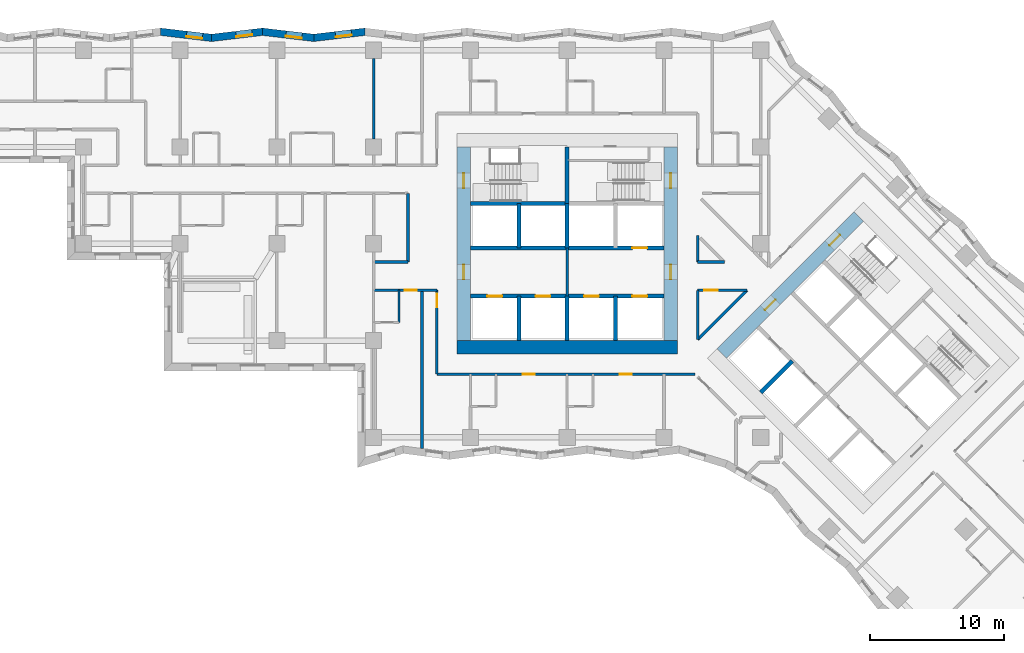
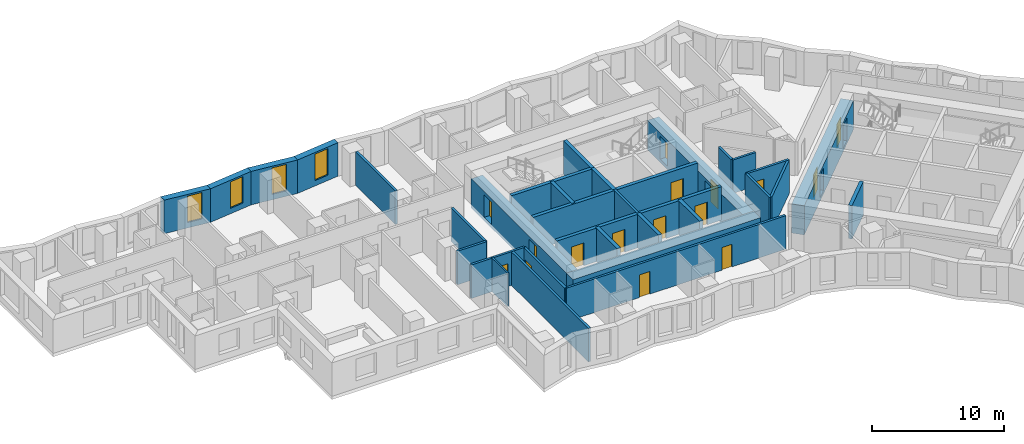
# One storey, part 5 of 14: 32 walls, 16 doors, 4 windows, 20 openings.
"""IFC4 building model written with IfcOpenShell, lengths in metres."""

from ifc_helpers import new_model, si_unit, direction, frame, frame_2d, origin, place, context, subcontext, project, spatial, polyline, rectangle, outline, extrude, material, layer, layer_set, type_object, element, fill, save


model = new_model("IFC4")

# Units and contexts
model_context = context("Model", 3, precision=1e-05, world=origin(), true_north=direction((0.0, 1.0)))
body_context = subcontext(model_context, "Body", "Model", "MODEL_VIEW")
ifc_project = project(units=[si_unit("LENGTHUNIT", "METRE"), si_unit("AREAUNIT", "SQUARE_METRE"), si_unit("VOLUMEUNIT", "CUBIC_METRE"), si_unit("PLANEANGLEUNIT", "RADIAN"), si_unit("MASSUNIT", "GRAM", prefix="KILO")], contexts=[model_context])

# Site, building, storey
site_placement = place(None, origin())
site = spatial("IfcSite", under=ifc_project, at=site_placement, CompositionType="ELEMENT")
building_placement = place(site_placement, origin())
building = spatial("IfcBuilding", under=site, at=building_placement, Name="Windrow Commons", CompositionType="ELEMENT")
storey_placement = place(building_placement, frame((0.0, 0.0, 44.0)))
storey = spatial("IfcBuildingStorey", under=building, at=storey_placement, Name="L11", CompositionType="ELEMENT", Elevation=44.0)

# Wall, opening, window
ifc_material_1 = material(Name="Brick masonry, red clay brick", Category="masonry")
ifc_layer_1 = layer(ifc_material_1, 0.55)
ifc_layer_set_1 = layer_set([ifc_layer_1], Name="Brick facade wall 550")
wall_type_1 = type_object("IfcWallType", Name="Brick facade wall 550", PredefinedType="SOLIDWALL", material=ifc_layer_set_1)
wall_1_placement = place(storey_placement, frame((49.7407, 73.3741, 0.0), z_axis=(0.0, 0.0, 1.0), x_axis=(-0.9930265769, -0.1178907016, 0.0)))
wall_1 = element("IfcWall", 1, at=wall_1_placement, inside=storey, type_object=wall_type_1, Name="Brick facade wall L11 31", PredefinedType="SOLIDWALL", context=body_context, shape_type="SweptSolid", body=[
    extrude(outline(polyline([(-0.0326, -0.275), (3.793, -0.275), (3.8583, 0.275), (0.0326, 0.275), (-0.0326, -0.275)])), origin(), (0.0, 0.0, 1.0), 3.1),
])
opening_1_placement = place(wall_1_placement, frame((0.997, 0.0, 0.5)))
opening_1 = element("IfcOpeningElement", 2, at=opening_1_placement, cuts=wall_1, Name="Opening W7D", PredefinedType="OPENING", context=body_context, shape_type="SweptSolid", body=[
    extrude(rectangle(XDim=1.2, YDim=2.45, at=frame_2d((0.6, 1.225))), frame((0.0, 0.285, 0.0), z_axis=(0.0, -1.0, 0.0), x_axis=(1.0, 0.0, 0.0)), (0.0, 0.0, 1.0), 0.57),
])
ifc_material_2 = material(Name="Clear float glass in anodised aluminium frame", Category="aluminium")
window_type = type_object("IfcWindowType", Name="Window W7 notch 1200x2450", PartitioningType="SINGLE_PANEL", PredefinedType="WINDOW", material=ifc_material_2)
window_1_placement = place(opening_1_placement, origin())
window_1 = element("IfcWindow", 3, at=window_1_placement, inside=storey, type_object=window_type, Name="Window L11 31.1", OverallHeight=2.45, OverallWidth=1.2, PartitioningType="SINGLE_PANEL", PredefinedType="WINDOW", context=body_context, shape_type="SweptSolid", body=[
    extrude(rectangle(XDim=1.2, YDim=2.45, at=frame_2d((0.6, 1.225))), frame((0.0, 0.155, 0.0), z_axis=(0.0, -1.0, 0.0), x_axis=(1.0, 0.0, 0.0)), (0.0, 0.0, 1.0), 0.06),
])
fill(opening_1, window_1)

wall_2_placement = place(storey_placement, frame((45.9418, 72.9231, 0.0), z_axis=(0.0, 0.0, 1.0), x_axis=(-0.9930269402, 0.1178876415, 0.0)))
wall_2 = element("IfcWall", 4, at=wall_2_placement, inside=storey, type_object=wall_type_1, Name="Brick facade wall L11 32", PredefinedType="SOLIDWALL", context=body_context, shape_type="SweptSolid", body=[
    extrude(outline(polyline([(0.0326, -0.275), (3.8583, -0.275), (3.793, 0.275), (-0.0326, 0.275), (0.0326, -0.275)])), origin(), (0.0, 0.0, 1.0), 3.1),
])
opening_2_placement = place(wall_2_placement, frame((0.8805, 0.0, 0.5)))
opening_2 = element("IfcOpeningElement", 5, at=opening_2_placement, cuts=wall_2, Name="Opening W7D", PredefinedType="OPENING", context=body_context, shape_type="SweptSolid", body=[
    extrude(rectangle(XDim=1.2, YDim=2.45, at=frame_2d((0.6, 1.225))), frame((0.0, 0.285, 0.0), z_axis=(0.0, -1.0, 0.0), x_axis=(1.0, 0.0, 0.0)), (0.0, 0.0, 1.0), 0.57),
])
window_2_placement = place(opening_2_placement, origin())
window_2 = element("IfcWindow", 6, at=window_2_placement, inside=storey, type_object=window_type, Name="Window L11 32.1", OverallHeight=2.45, OverallWidth=1.2, PartitioningType="SINGLE_PANEL", PredefinedType="WINDOW", context=body_context, shape_type="SweptSolid", body=[
    extrude(rectangle(XDim=1.2, YDim=2.45, at=frame_2d((0.6, 1.225))), frame((0.0, 0.155, 0.0), z_axis=(0.0, -1.0, 0.0), x_axis=(1.0, 0.0, 0.0)), (0.0, 0.0, 1.0), 0.06),
])
fill(opening_2, window_2)

wall_3_placement = place(storey_placement, frame((42.1428, 73.3741, 0.0), z_axis=(0.0, 0.0, 1.0), x_axis=(-0.9930269402, -0.1178876415, 0.0)))
wall_3 = element("IfcWall", 7, at=wall_3_placement, inside=storey, type_object=wall_type_1, Name="Brick facade wall L11 33", PredefinedType="SOLIDWALL", context=body_context, shape_type="SweptSolid", body=[
    extrude(outline(polyline([(-0.0326, -0.275), (3.793, -0.275), (3.8583, 0.275), (0.0326, 0.275), (-0.0326, -0.275)])), origin(), (0.0, 0.0, 1.0), 3.1),
])
opening_3_placement = place(wall_3_placement, frame((0.7966, 0.0, 0.5)))
opening_3 = element("IfcOpeningElement", 8, at=opening_3_placement, cuts=wall_3, Name="Opening W7D", PredefinedType="OPENING", context=body_context, shape_type="SweptSolid", body=[
    extrude(rectangle(XDim=1.2, YDim=2.45, at=frame_2d((0.6, 1.225))), frame((0.0, 0.285, 0.0), z_axis=(0.0, -1.0, 0.0), x_axis=(1.0, 0.0, 0.0)), (0.0, 0.0, 1.0), 0.57),
])
window_3_placement = place(opening_3_placement, origin())
window_3 = element("IfcWindow", 9, at=window_3_placement, inside=storey, type_object=window_type, Name="Window L11 33.1", OverallHeight=2.45, OverallWidth=1.2, PartitioningType="SINGLE_PANEL", PredefinedType="WINDOW", context=body_context, shape_type="SweptSolid", body=[
    extrude(rectangle(XDim=1.2, YDim=2.45, at=frame_2d((0.6, 1.225))), frame((0.0, 0.155, 0.0), z_axis=(0.0, -1.0, 0.0), x_axis=(1.0, 0.0, 0.0)), (0.0, 0.0, 1.0), 0.06),
])
fill(opening_3, window_3)

wall_4_placement = place(storey_placement, frame((38.3438, 72.9231, 0.0), z_axis=(0.0, 0.0, 1.0), x_axis=(-0.9930265769, 0.1178907016, 0.0)))
wall_4 = element("IfcWall", 10, at=wall_4_placement, inside=storey, type_object=wall_type_1, Name="Brick facade wall L11 34", PredefinedType="SOLIDWALL", context=body_context, shape_type="SweptSolid", body=[
    extrude(outline(polyline([(0.0326, -0.275), (3.8583, -0.275), (3.793, 0.275), (-0.0326, 0.275), (0.0326, -0.275)])), origin(), (0.0, 0.0, 1.0), 3.1),
])
opening_4_placement = place(wall_4_placement, frame((0.6801, 0.0, 0.5)))
opening_4 = element("IfcOpeningElement", 11, at=opening_4_placement, cuts=wall_4, Name="Opening W7D", PredefinedType="OPENING", context=body_context, shape_type="SweptSolid", body=[
    extrude(rectangle(XDim=1.2, YDim=2.45, at=frame_2d((0.6, 1.225))), frame((0.0, 0.285, 0.0), z_axis=(0.0, -1.0, 0.0), x_axis=(1.0, 0.0, 0.0)), (0.0, 0.0, 1.0), 0.57),
])
window_4_placement = place(opening_4_placement, origin())
window_4 = element("IfcWindow", 12, at=window_4_placement, inside=storey, type_object=window_type, Name="Window L11 34.1", OverallHeight=2.45, OverallWidth=1.2, PartitioningType="SINGLE_PANEL", PredefinedType="WINDOW", context=body_context, shape_type="SweptSolid", body=[
    extrude(rectangle(XDim=1.2, YDim=2.45, at=frame_2d((0.6, 1.225))), frame((0.0, 0.155, 0.0), z_axis=(0.0, -1.0, 0.0), x_axis=(1.0, 0.0, 0.0)), (0.0, 0.0, 1.0), 0.06),
])
fill(opening_4, window_4)

# Wall
ifc_material_3 = material(Name="Blockwork partition", Category="masonry")
ifc_layer_2 = layer(ifc_material_3, 0.2)
ifc_layer_set_2 = layer_set([ifc_layer_2], Name="Fire lobby partition 200")
wall_type_2 = type_object("IfcWallType", Name="Fire lobby partition 200", PredefinedType="PARTITIONING", material=ifc_layer_set_2)
wall_5_placement = place(storey_placement, frame((64.8, 53.7, 0.0), z_axis=(0.0, 0.0, 1.0), x_axis=(0.0, 1.0, 0.0)))
element("IfcWall", 13, at=wall_5_placement, inside=storey, type_object=wall_type_2, Name="W-core-lobby-A-L11", PredefinedType="PARTITIONING", context=body_context, shape_type="SweptSolid", body=[
    extrude(rectangle(XDim=3.6, YDim=0.2, at=frame_2d((1.8, 0.0))), origin(), (0.0, 0.0, 1.0), 3.1),
])

# Wall, openings, doors
ifc_material_4 = material(Name="Blockwork partition", Category="masonry")
ifc_layer_3 = layer(ifc_material_4, 0.2)
ifc_layer_set_3 = layer_set([ifc_layer_3], Name="IW-CORRIDOR-200")
wall_type_3 = type_object("IfcWallType", Name="IW-CORRIDOR-200", PredefinedType="PARTITIONING", material=ifc_layer_set_3)
wall_6_placement = place(storey_placement, frame((55.1, 47.9, 0.0), z_axis=(0.0, 0.0, 1.0), x_axis=(1.0, 0.0, 0.0)))
wall_6 = element("IfcWall", 14, at=wall_6_placement, inside=storey, type_object=wall_type_3, Name="W-L11-W003", PredefinedType="PARTITIONING", context=body_context, shape_type="SweptSolid", body=[
    extrude(rectangle(XDim=19.204, YDim=0.2, at=frame_2d((9.602, 0.0))), origin(), (0.0, 0.0, 1.0), 3.1),
])
opening_5_placement = place(wall_6_placement, frame((6.3994, 0.0, 0.0)))
opening_5 = element("IfcOpeningElement", 15, at=opening_5_placement, cuts=wall_6, Name="Opening D109F", PredefinedType="OPENING", context=body_context, shape_type="SweptSolid", body=[
    extrude(rectangle(XDim=0.9, YDim=2.1, at=frame_2d((0.45, 1.05))), frame((0.0, 0.11, 0.0), z_axis=(0.0, -1.0, 0.0), x_axis=(1.0, 0.0, 0.0)), (0.0, 0.0, 1.0), 0.22),
])
opening_6_placement = place(wall_6_placement, frame((13.5994, 0.0, 0.0)))
opening_6 = element("IfcOpeningElement", 16, at=opening_6_placement, cuts=wall_6, Name="Opening D109F", PredefinedType="OPENING", context=body_context, shape_type="SweptSolid", body=[
    extrude(rectangle(XDim=0.9, YDim=2.1, at=frame_2d((0.45, 1.05))), frame((0.0, 0.11, 0.0), z_axis=(0.0, -1.0, 0.0), x_axis=(1.0, 0.0, 0.0)), (0.0, 0.0, 1.0), 0.22),
])
ifc_material_5 = material(Name="Timber door leaf", Category="wood")
door_type_1 = type_object("IfcDoorType", Name="DT-BEDROOM-900", OperationType="SINGLE_SWING_LEFT", PredefinedType="DOOR", material=ifc_material_5)
door_1_placement = place(opening_5_placement, origin())
door_1 = element("IfcDoor", 17, at=door_1_placement, inside=storey, type_object=door_type_1, Name="D-L11-D032", OperationType="SINGLE_SWING_LEFT", OverallHeight=2.1, OverallWidth=0.9, PredefinedType="DOOR", context=body_context, shape_type="SweptSolid", body=[
    extrude(rectangle(XDim=0.9, YDim=2.1, at=frame_2d((0.45, 1.05))), frame((0.0, 0.025, 0.0), z_axis=(0.0, -1.0, 0.0), x_axis=(1.0, 0.0, 0.0)), (0.0, 0.0, 1.0), 0.05),
])
fill(opening_5, door_1)
door_2_placement = place(opening_6_placement, origin())
door_2 = element("IfcDoor", 18, at=door_2_placement, inside=storey, type_object=door_type_1, Name="D-L11-D034", OperationType="SINGLE_SWING_LEFT", OverallHeight=2.1, OverallWidth=0.9, PredefinedType="DOOR", context=body_context, shape_type="SweptSolid", body=[
    extrude(rectangle(XDim=0.9, YDim=2.1, at=frame_2d((0.45, 1.05))), frame((0.0, 0.025, 0.0), z_axis=(0.0, -1.0, 0.0), x_axis=(1.0, 0.0, 0.0)), (0.0, 0.0, 1.0), 0.05),
])
fill(opening_6, door_2)

# Wall, opening, door
wall_7_placement = place(storey_placement, frame((55.1, 47.9, 0.0), z_axis=(0.0, 0.0, 1.0), x_axis=(0.0, 1.0, 0.0)))
wall_7 = element("IfcWall", 19, at=wall_7_placement, inside=storey, type_object=wall_type_3, Name="W-L11-W023", PredefinedType="PARTITIONING", context=body_context, shape_type="SweptSolid", body=[
    extrude(rectangle(XDim=6.25, YDim=0.2, at=frame_2d((3.125, 0.0))), origin(), (0.0, 0.0, 1.0), 3.1),
])
opening_7_placement = place(wall_7_placement, frame((4.9905, 0.0, 0.0)))
opening_7 = element("IfcOpeningElement", 20, at=opening_7_placement, cuts=wall_7, Name="Opening D310F", PredefinedType="OPENING", context=body_context, shape_type="SweptSolid", body=[
    extrude(rectangle(XDim=1.0, YDim=2.1, at=frame_2d((0.5, 1.05))), frame((0.0, 0.11, 0.0), z_axis=(0.0, -1.0, 0.0), x_axis=(1.0, 0.0, 0.0)), (0.0, 0.0, 1.0), 0.22),
])
ifc_material_6 = material(Name="Timber door leaf", Category="wood")
door_type_2 = type_object("IfcDoorType", Name="DT-AMENITY-1000", OperationType="SINGLE_SWING_LEFT", PredefinedType="DOOR", material=ifc_material_6)
door_3_placement = place(opening_7_placement, origin())
door_3 = element("IfcDoor", 21, at=door_3_placement, inside=storey, type_object=door_type_2, Name="D-L11-D027", OperationType="SINGLE_SWING_RIGHT", OverallHeight=2.1, OverallWidth=1.0, PredefinedType="DOOR", context=body_context, shape_type="SweptSolid", body=[
    extrude(rectangle(XDim=1.0, YDim=2.1, at=frame_2d((0.5, 1.05))), frame((0.0, 0.025, 0.0), z_axis=(0.0, -1.0, 0.0), x_axis=(1.0, 0.0, 0.0)), (0.0, 0.0, 1.0), 0.05),
])
fill(opening_7, door_3)

# Walls
wall_8_placement = place(storey_placement, frame((74.5167, 50.4893, 0.0), z_axis=(0.0, 0.0, 1.0), x_axis=(0.7071067812, 0.7071067812, 0.0)))
element("IfcWall", 22, at=wall_8_placement, inside=storey, type_object=wall_type_3, Name="W-L11-W039", PredefinedType="PARTITIONING", context=body_context, shape_type="SweptSolid", body=[
    extrude(rectangle(XDim=5.176, YDim=0.2, at=frame_2d((2.588, 0.0))), origin(), (0.0, 0.0, 1.0), 3.1),
])
wall_9_placement = place(storey_placement, frame((52.95, 56.252, 0.0), z_axis=(0.0, 0.0, 1.0), x_axis=(0.0, 1.0, 0.0)))
element("IfcWall", 23, at=wall_9_placement, inside=storey, type_object=wall_type_3, Name="W-L11-W040", PredefinedType="PARTITIONING", context=body_context, shape_type="SweptSolid", body=[
    extrude(rectangle(XDim=5.098, YDim=0.2, at=frame_2d((2.549, 0.0))), origin(), (0.0, 0.0, 1.0), 3.1),
])

# Wall, opening, door
wall_10_placement = place(storey_placement, frame((50.4, 54.15, 0.0), z_axis=(0.0, 0.0, 1.0), x_axis=(1.0, 0.0, 0.0)))
wall_10 = element("IfcWall", 24, at=wall_10_placement, inside=storey, type_object=wall_type_3, Name="W-L11-W042", PredefinedType="PARTITIONING", context=body_context, shape_type="SweptSolid", body=[
    extrude(rectangle(XDim=4.7, YDim=0.2, at=frame_2d((2.35, 0.0))), origin(), (0.0, 0.0, 1.0), 3.1),
])
opening_8_placement = place(wall_10_placement, frame((2.3, 0.0, 0.0)))
opening_8 = element("IfcOpeningElement", 25, at=opening_8_placement, cuts=wall_10, Name="Opening D109S", PredefinedType="OPENING", context=body_context, shape_type="SweptSolid", body=[
    extrude(rectangle(XDim=0.9, YDim=2.1, at=frame_2d((0.45, 1.05))), frame((0.0, 0.11, 0.0), z_axis=(0.0, -1.0, 0.0), x_axis=(1.0, 0.0, 0.0)), (0.0, 0.0, 1.0), 0.22),
])
door_4_placement = place(opening_8_placement, origin())
door_4 = element("IfcDoor", 26, at=door_4_placement, inside=storey, type_object=door_type_1, Name="D-L11-D025", OperationType="SINGLE_SWING_LEFT", OverallHeight=2.1, OverallWidth=0.9, PredefinedType="DOOR", context=body_context, shape_type="SweptSolid", body=[
    extrude(rectangle(XDim=0.9, YDim=2.1, at=frame_2d((0.45, 1.05))), frame((0.0, 0.025, 0.0), z_axis=(0.0, -1.0, 0.0), x_axis=(1.0, 0.0, 0.0)), (0.0, 0.0, 1.0), 0.05),
])
fill(opening_8, door_4)

wall_11_placement = place(storey_placement, frame((74.51, 54.15, 0.0), z_axis=(0.0, 0.0, 1.0), x_axis=(1.0, 0.0, 0.0)))
wall_11 = element("IfcWall", 27, at=wall_11_placement, inside=storey, type_object=wall_type_3, Name="W-L11-W053", PredefinedType="PARTITIONING", context=body_context, shape_type="SweptSolid", body=[
    extrude(rectangle(XDim=3.666, YDim=0.2, at=frame_2d((1.833, 0.0))), origin(), (0.0, 0.0, 1.0), 3.1),
])
opening_9_placement = place(wall_11_placement, frame((0.5025, 0.0, 0.0)))
opening_9 = element("IfcOpeningElement", 28, at=opening_9_placement, cuts=wall_11, Name="Opening D310F", PredefinedType="OPENING", context=body_context, shape_type="SweptSolid", body=[
    extrude(rectangle(XDim=1.0, YDim=2.1, at=frame_2d((0.5, 1.05))), frame((0.0, 0.11, 0.0), z_axis=(0.0, -1.0, 0.0), x_axis=(1.0, 0.0, 0.0)), (0.0, 0.0, 1.0), 0.22),
])
door_5_placement = place(opening_9_placement, origin())
door_5 = element("IfcDoor", 29, at=door_5_placement, inside=storey, type_object=door_type_2, Name="D-L11-D000", OperationType="SINGLE_SWING_RIGHT", OverallHeight=2.1, OverallWidth=1.0, PredefinedType="DOOR", context=body_context, shape_type="SweptSolid", body=[
    extrude(rectangle(XDim=1.0, YDim=2.1, at=frame_2d((0.5, 1.05))), frame((0.0, 0.025, 0.0), z_axis=(0.0, -1.0, 0.0), x_axis=(1.0, 0.0, 0.0)), (0.0, 0.0, 1.0), 0.05),
])
fill(opening_9, door_5)

# Walls
wall_12_placement = place(storey_placement, frame((74.5, 50.496, 0.0), z_axis=(0.0, 0.0, 1.0), x_axis=(0.0, 1.0, 0.0)))
element("IfcWall", 30, at=wall_12_placement, inside=storey, type_object=wall_type_3, Name="W-L11-W054", PredefinedType="PARTITIONING", context=body_context, shape_type="SweptSolid", body=[
    extrude(rectangle(XDim=3.644, YDim=0.2, at=frame_2d((1.822, 0.0))), origin(), (0.0, 0.0, 1.0), 3.1),
])
wall_13_placement = place(storey_placement, frame((50.4, 56.25, 0.0), z_axis=(0.0, 0.0, 1.0), x_axis=(1.0, 0.0, 0.0)))
element("IfcWall", 31, at=wall_13_placement, inside=storey, type_object=wall_type_3, Name="W-L11-W066", PredefinedType="PARTITIONING", context=body_context, shape_type="SweptSolid", body=[
    extrude(rectangle(XDim=2.55, YDim=0.2, at=frame_2d((1.275, 0.0))), origin(), (0.0, 0.0, 1.0), 3.1),
])
wall_14_placement = place(storey_placement, frame((74.51, 56.25, 0.0), z_axis=(0.0, 0.0, 1.0), x_axis=(1.0, 0.0, 0.0)))
element("IfcWall", 32, at=wall_14_placement, inside=storey, type_object=wall_type_3, Name="W-L11-W121", PredefinedType="PARTITIONING", context=body_context, shape_type="SweptSolid", body=[
    extrude(rectangle(XDim=1.982, YDim=0.2, at=frame_2d((0.991, 0.0))), origin(), (0.0, 0.0, 1.0), 3.1),
])
wall_15_placement = place(storey_placement, frame((74.5, 56.26, 0.0), z_axis=(0.0, 0.0, 1.0), x_axis=(0.0, 1.0, 0.0)))
element("IfcWall", 33, at=wall_15_placement, inside=storey, type_object=wall_type_3, Name="W-L11-W122", PredefinedType="PARTITIONING", context=body_context, shape_type="SweptSolid", body=[
    extrude(rectangle(XDim=1.96, YDim=0.2, at=frame_2d((0.98, 0.0))), origin(), (0.0, 0.0, 1.0), 3.1),
])
ifc_material_7 = material(Name="Blockwork partition", Category="masonry")
ifc_layer_4 = layer(ifc_material_7, 0.15)
ifc_layer_set_4 = layer_set([ifc_layer_4], Name="IW-ENSUITE-150")
wall_type_4 = type_object("IfcWallType", Name="IW-ENSUITE-150", PredefinedType="PARTITIONING", material=ifc_layer_set_4)
wall_16_placement = place(storey_placement, frame((52.3, 51.75, 0.0), z_axis=(0.0, 0.0, 1.0), x_axis=(0.0, 1.0, 0.0)))
element("IfcWall", 34, at=wall_16_placement, inside=storey, type_object=wall_type_4, Name="W-L11-W086", PredefinedType="PARTITIONING", context=body_context, shape_type="SweptSolid", body=[
    extrude(rectangle(XDim=2.4, YDim=0.15, at=frame_2d((1.2, 0.0))), origin(), (0.0, 0.0, 1.0), 3.1),
])
ifc_material_8 = material(Name="Blockwork partition", Category="masonry")
ifc_layer_5 = layer(ifc_material_8, 0.2)
ifc_layer_set_5 = layer_set([ifc_layer_5], Name="IW-PARTY-200")
wall_type_5 = type_object("IfcWallType", Name="IW-PARTY-200", PredefinedType="PARTITIONING", material=ifc_layer_set_5)
wall_17_placement = place(storey_placement, frame((54.0, 42.3719, 0.0), z_axis=(0.0, 0.0, 1.0), x_axis=(0.0, 1.0, 0.0)))
element("IfcWall", 35, at=wall_17_placement, inside=storey, type_object=wall_type_5, Name="W-L11-W008", PredefinedType="PARTITIONING", context=body_context, shape_type="SweptSolid", body=[
    extrude(rectangle(XDim=11.7781, YDim=0.2, at=frame_2d((5.8891, 0.0))), origin(), (0.0, 0.0, 1.0), 3.1),
])
wall_18_placement = place(storey_placement, frame((50.4, 65.4, 0.0), z_axis=(0.0, 0.0, 1.0), x_axis=(0.0, 1.0, 0.0)))
element("IfcWall", 36, at=wall_18_placement, inside=storey, type_object=wall_type_5, Name="W-L11-W029", PredefinedType="PARTITIONING", context=body_context, shape_type="SweptSolid", body=[
    extrude(rectangle(XDim=6.0, YDim=0.2, at=frame_2d((3.0, 0.0))), origin(), (0.0, 0.0, 1.0), 3.1),
])
ifc_material_9 = material(Name="Concrete C60/75", Category="concrete")
ifc_layer_6 = layer(ifc_material_9, 1.0)
ifc_layer_set_6 = layer_set([ifc_layer_6], Name="RC CORE WALL 1000 C60/75")
wall_type_6 = type_object("IfcWallType", Name="RC CORE WALL 1000 C60/75", PredefinedType="SHEAR", material=ifc_layer_set_6)
wall_19_placement = place(storey_placement, frame((56.6, 49.9, -0.3), z_axis=(0.0, 0.0, 1.0), x_axis=(1.0, 0.0, 0.0)))
element("IfcWall", 37, at=wall_19_placement, inside=storey, type_object=wall_type_6, Name="Core A wall outer-S", PredefinedType="SHEAR", context=body_context, shape_type="SweptSolid", body=[
    extrude(rectangle(XDim=16.4, YDim=1.0, at=frame_2d((8.2, 0.0))), origin(), (0.0, 0.0, 1.0), 2.7),
])

# Wall, openings, doors
wall_20_placement = place(storey_placement, frame((57.1, 50.4, -0.3), z_axis=(0.0, 0.0, 1.0), x_axis=(0.0, 1.0, 0.0)))
wall_20 = element("IfcWall", 38, at=wall_20_placement, inside=storey, type_object=wall_type_6, Name="Core A wall outer-W", PredefinedType="SHEAR", context=body_context, shape_type="SweptSolid", body=[
    extrude(rectangle(XDim=14.4, YDim=1.0, at=frame_2d((7.2, 0.0))), origin(), (0.0, 0.0, 1.0), 2.7),
])
opening_10_placement = place(wall_20_placement, frame((4.55, 0.0, 0.3)))
opening_10 = element("IfcOpeningElement", 39, at=opening_10_placement, cuts=wall_20, Name="Opening D6", PredefinedType="OPENING", context=body_context, shape_type="SweptSolid", body=[
    extrude(rectangle(XDim=1.1, YDim=2.1, at=frame_2d((0.55, 1.05))), frame((0.0, 0.51, 0.0), z_axis=(0.0, -1.0, 0.0), x_axis=(1.0, 0.0, 0.0)), (0.0, 0.0, 1.0), 1.02),
])
opening_11_placement = place(wall_20_placement, frame((11.35, 0.0, 0.3)))
opening_11 = element("IfcOpeningElement", 40, at=opening_11_placement, cuts=wall_20, Name="Opening D7", PredefinedType="OPENING", context=body_context, shape_type="SweptSolid", body=[
    extrude(rectangle(XDim=1.1, YDim=2.1, at=frame_2d((0.55, 1.05))), frame((0.0, 0.51, 0.0), z_axis=(0.0, -1.0, 0.0), x_axis=(1.0, 0.0, 0.0)), (0.0, 0.0, 1.0), 1.02),
])
ifc_material_10 = material(Name="Steel fire door leaf", Category="steel")
door_type_3 = type_object("IfcDoorType", Name="Core lobby door 1100", OperationType="SINGLE_SWING_LEFT", PredefinedType="DOOR", material=ifc_material_10)
door_6_placement = place(opening_10_placement, origin())
door_6 = element("IfcDoor", 41, at=door_6_placement, inside=storey, type_object=door_type_3, Name="Lift lobby door", OperationType="DOUBLE_DOOR_SINGLE_SWING", OverallHeight=2.1, OverallWidth=1.1, PredefinedType="DOOR", context=body_context, shape_type="SweptSolid", body=[
    extrude(rectangle(XDim=1.1, YDim=2.1, at=frame_2d((0.55, 1.05))), frame((0.0, 0.025, 0.0), z_axis=(0.0, -1.0, 0.0), x_axis=(1.0, 0.0, 0.0)), (0.0, 0.0, 1.0), 0.05),
])
fill(opening_10, door_6)
ifc_material_11 = material(Name="Steel fire door leaf", Category="steel")
door_type_4 = type_object("IfcDoorType", Name="Stair door 1100", OperationType="SINGLE_SWING_LEFT", PredefinedType="DOOR", material=ifc_material_11)
door_7_placement = place(opening_11_placement, origin())
door_7 = element("IfcDoor", 42, at=door_7_placement, inside=storey, type_object=door_type_4, Name="Stair door", OperationType="SINGLE_SWING_LEFT", OverallHeight=2.1, OverallWidth=1.1, PredefinedType="DOOR", context=body_context, shape_type="SweptSolid", body=[
    extrude(rectangle(XDim=1.1, YDim=2.1, at=frame_2d((0.55, 1.05))), frame((0.0, 0.025, 0.0), z_axis=(0.0, -1.0, 0.0), x_axis=(1.0, 0.0, 0.0)), (0.0, 0.0, 1.0), 0.05),
])
fill(opening_11, door_7)

wall_21_placement = place(storey_placement, frame((72.5, 50.4, -0.3), z_axis=(0.0, 0.0, 1.0), x_axis=(0.0, 1.0, 0.0)))
wall_21 = element("IfcWall", 43, at=wall_21_placement, inside=storey, type_object=wall_type_6, Name="Core A wall outer-E", PredefinedType="SHEAR", context=body_context, shape_type="SweptSolid", body=[
    extrude(rectangle(XDim=14.4, YDim=1.0, at=frame_2d((7.2, 0.0))), origin(), (0.0, 0.0, 1.0), 2.7),
])
opening_12_placement = place(wall_21_placement, frame((4.55, 0.0, 0.3)))
opening_12 = element("IfcOpeningElement", 44, at=opening_12_placement, cuts=wall_21, Name="Opening D6", PredefinedType="OPENING", context=body_context, shape_type="SweptSolid", body=[
    extrude(rectangle(XDim=1.1, YDim=2.1, at=frame_2d((0.55, 1.05))), frame((0.0, 0.51, 0.0), z_axis=(0.0, -1.0, 0.0), x_axis=(1.0, 0.0, 0.0)), (0.0, 0.0, 1.0), 1.02),
])
opening_13_placement = place(wall_21_placement, frame((11.35, 0.0, 0.3)))
opening_13 = element("IfcOpeningElement", 45, at=opening_13_placement, cuts=wall_21, Name="Opening D7", PredefinedType="OPENING", context=body_context, shape_type="SweptSolid", body=[
    extrude(rectangle(XDim=1.1, YDim=2.1, at=frame_2d((0.55, 1.05))), frame((0.0, 0.51, 0.0), z_axis=(0.0, -1.0, 0.0), x_axis=(1.0, 0.0, 0.0)), (0.0, 0.0, 1.0), 1.02),
])
door_8_placement = place(opening_12_placement, origin())
door_8 = element("IfcDoor", 46, at=door_8_placement, inside=storey, type_object=door_type_3, Name="Lift lobby door", OperationType="DOUBLE_DOOR_SINGLE_SWING", OverallHeight=2.1, OverallWidth=1.1, PredefinedType="DOOR", context=body_context, shape_type="SweptSolid", body=[
    extrude(rectangle(XDim=1.1, YDim=2.1, at=frame_2d((0.55, 1.05))), frame((0.0, 0.025, 0.0), z_axis=(0.0, -1.0, 0.0), x_axis=(1.0, 0.0, 0.0)), (0.0, 0.0, 1.0), 0.05),
])
fill(opening_12, door_8)
door_9_placement = place(opening_13_placement, origin())
door_9 = element("IfcDoor", 47, at=door_9_placement, inside=storey, type_object=door_type_4, Name="Stair door", OperationType="SINGLE_SWING_RIGHT", OverallHeight=2.1, OverallWidth=1.1, PredefinedType="DOOR", context=body_context, shape_type="SweptSolid", body=[
    extrude(rectangle(XDim=1.1, YDim=2.1, at=frame_2d((0.55, 1.05))), frame((0.0, 0.025, 0.0), z_axis=(0.0, -1.0, 0.0), x_axis=(1.0, 0.0, 0.0)), (0.0, 0.0, 1.0), 0.05),
])
fill(opening_13, door_9)

wall_22_placement = place(storey_placement, frame((76.3009, 49.4433, -0.3), z_axis=(0.0, 0.0, 1.0), x_axis=(0.7071067812, 0.7071067812, 0.0)))
wall_22 = element("IfcWall", 48, at=wall_22_placement, inside=storey, type_object=wall_type_6, Name="Core B wall outer-W", PredefinedType="SHEAR", context=body_context, shape_type="SweptSolid", body=[
    extrude(rectangle(XDim=14.3999, YDim=1.0, at=frame_2d((7.2, 0.0))), origin(), (0.0, 0.0, 1.0), 2.7),
])
opening_14_placement = place(wall_22_placement, frame((4.55, 0.0, 0.3)))
opening_14 = element("IfcOpeningElement", 49, at=opening_14_placement, cuts=wall_22, Name="Opening D6", PredefinedType="OPENING", context=body_context, shape_type="SweptSolid", body=[
    extrude(rectangle(XDim=1.1, YDim=2.1, at=frame_2d((0.55, 1.05))), frame((0.0, 0.51, 0.0), z_axis=(0.0, -1.0, 0.0), x_axis=(1.0, 0.0, 0.0)), (0.0, 0.0, 1.0), 1.02),
])
opening_15_placement = place(wall_22_placement, frame((11.35, 0.0, 0.3)))
opening_15 = element("IfcOpeningElement", 50, at=opening_15_placement, cuts=wall_22, Name="Opening D7", PredefinedType="OPENING", context=body_context, shape_type="SweptSolid", body=[
    extrude(rectangle(XDim=1.1, YDim=2.1, at=frame_2d((0.55, 1.05))), frame((0.0, 0.51, 0.0), z_axis=(0.0, -1.0, 0.0), x_axis=(1.0, 0.0, 0.0)), (0.0, 0.0, 1.0), 1.02),
])
door_10_placement = place(opening_14_placement, origin())
door_10 = element("IfcDoor", 51, at=door_10_placement, inside=storey, type_object=door_type_3, Name="Lift lobby door", OperationType="DOUBLE_DOOR_SINGLE_SWING", OverallHeight=2.1, OverallWidth=1.1, PredefinedType="DOOR", context=body_context, shape_type="SweptSolid", body=[
    extrude(rectangle(XDim=1.1, YDim=2.1, at=frame_2d((0.55, 1.05))), frame((0.0, 0.025, 0.0), z_axis=(0.0, -1.0, 0.0), x_axis=(1.0, 0.0, 0.0)), (0.0, 0.0, 1.0), 0.05),
])
fill(opening_14, door_10)
door_11_placement = place(opening_15_placement, origin())
door_11 = element("IfcDoor", 52, at=door_11_placement, inside=storey, type_object=door_type_4, Name="Stair door", OperationType="SINGLE_SWING_LEFT", OverallHeight=2.1, OverallWidth=1.1, PredefinedType="DOOR", context=body_context, shape_type="SweptSolid", body=[
    extrude(rectangle(XDim=1.1, YDim=2.1, at=frame_2d((0.55, 1.05))), frame((0.0, 0.025, 0.0), z_axis=(0.0, -1.0, 0.0), x_axis=(1.0, 0.0, 0.0)), (0.0, 0.0, 1.0), 0.05),
])
fill(opening_15, door_11)

# Walls
ifc_material_12 = material(Name="Concrete C60/75", Category="concrete")
ifc_layer_7 = layer(ifc_material_12, 0.3)
ifc_layer_set_7 = layer_set([ifc_layer_7], Name="RC SHAFT WALL 300 C60/75")
wall_type_7 = type_object("IfcWallType", Name="RC SHAFT WALL 300 C60/75", PredefinedType="SOLIDWALL", material=ifc_layer_set_7)
for number, where, z_axis, x_axis, name in (
    (53, (61.2, 50.4, 0.0), (0.0, 0.0, 1.0), (0.0, 1.0, 0.0), "Core A wall shaft-S1"),
    (54, (61.2, 57.3, 0.0), (0.0, 0.0, 1.0), (0.0, 1.0, 0.0), "Core A wall shaft-N1"),
    (55, (64.8, 50.4, 0.0), (0.0, 0.0, 1.0), (0.0, 1.0, 0.0), "Core A wall shaft-S2"),
    (56, (64.8, 57.3, 0.0), (0.0, 0.0, 1.0), (0.0, 1.0, 0.0), "Core A wall shaft-N2"),
    (57, (68.4, 50.4, 0.0), (0.0, 0.0, 1.0), (0.0, 1.0, 0.0), "Core A wall shaft-S3"),
):
    element("IfcWall", number, at=place(storey_placement, frame(where, z_axis=z_axis, x_axis=x_axis)), inside=storey, type_object=wall_type_7, Name=name, PredefinedType="SOLIDWALL", context=body_context, shape_type="SweptSolid", body=[
        extrude(rectangle(XDim=3.3, YDim=0.3, at=frame_2d((1.65, 0.0))), origin(), (0.0, 0.0, 1.0), 3.1),
    ])

# Wall, openings, doors
wall_23_placement = place(storey_placement, frame((57.6, 53.7, 0.0), z_axis=(0.0, 0.0, 1.0), x_axis=(1.0, 0.0, 0.0)))
wall_23 = element("IfcWall", 58, at=wall_23_placement, inside=storey, type_object=wall_type_7, Name="Core A wall lobby-S", PredefinedType="SOLIDWALL", context=body_context, shape_type="SweptSolid", body=[
    extrude(rectangle(XDim=14.4, YDim=0.3, at=frame_2d((7.2, 0.0))), origin(), (0.0, 0.0, 1.0), 3.1),
])
opening_16_placement = place(wall_23_placement, frame((1.25, 0.0, 0.0)))
opening_16 = element("IfcOpeningElement", 59, at=opening_16_placement, cuts=wall_23, Name="Opening LD", PredefinedType="OPENING", context=body_context, shape_type="SweptSolid", body=[
    extrude(rectangle(XDim=1.1, YDim=2.1, at=frame_2d((0.55, 1.05))), frame((0.0, 0.16, 0.0), z_axis=(0.0, -1.0, 0.0), x_axis=(1.0, 0.0, 0.0)), (0.0, 0.0, 1.0), 0.32),
])
opening_17_placement = place(wall_23_placement, frame((4.85, 0.0, 0.0)))
opening_17 = element("IfcOpeningElement", 60, at=opening_17_placement, cuts=wall_23, Name="Opening LD", PredefinedType="OPENING", context=body_context, shape_type="SweptSolid", body=[
    extrude(rectangle(XDim=1.1, YDim=2.1, at=frame_2d((0.55, 1.05))), frame((0.0, 0.16, 0.0), z_axis=(0.0, -1.0, 0.0), x_axis=(1.0, 0.0, 0.0)), (0.0, 0.0, 1.0), 0.32),
])
opening_18_placement = place(wall_23_placement, frame((8.45, 0.0, 0.0)))
opening_18 = element("IfcOpeningElement", 61, at=opening_18_placement, cuts=wall_23, Name="Opening LD", PredefinedType="OPENING", context=body_context, shape_type="SweptSolid", body=[
    extrude(rectangle(XDim=1.1, YDim=2.1, at=frame_2d((0.55, 1.05))), frame((0.0, 0.16, 0.0), z_axis=(0.0, -1.0, 0.0), x_axis=(1.0, 0.0, 0.0)), (0.0, 0.0, 1.0), 0.32),
])
opening_19_placement = place(wall_23_placement, frame((12.05, 0.0, 0.0)))
opening_19 = element("IfcOpeningElement", 62, at=opening_19_placement, cuts=wall_23, Name="Opening LD", PredefinedType="OPENING", context=body_context, shape_type="SweptSolid", body=[
    extrude(rectangle(XDim=1.1, YDim=2.1, at=frame_2d((0.55, 1.05))), frame((0.0, 0.16, 0.0), z_axis=(0.0, -1.0, 0.0), x_axis=(1.0, 0.0, 0.0)), (0.0, 0.0, 1.0), 0.32),
])
ifc_material_13 = material(Name="Stainless steel door leaf", Category="steel")
door_type_5 = type_object("IfcDoorType", Name="Lift landing door 1100", OperationType="SLIDING_TO_LEFT", PredefinedType="DOOR", material=ifc_material_13)
door_12_placement = place(opening_16_placement, origin())
door_12 = element("IfcDoor", 63, at=door_12_placement, inside=storey, type_object=door_type_5, Name="Lift landing door", OperationType="SLIDING_TO_LEFT", OverallHeight=2.1, OverallWidth=1.1, PredefinedType="DOOR", context=body_context, shape_type="SweptSolid", body=[
    extrude(rectangle(XDim=1.1, YDim=2.1, at=frame_2d((0.55, 1.05))), frame((0.0, 0.025, 0.0), z_axis=(0.0, -1.0, 0.0), x_axis=(1.0, 0.0, 0.0)), (0.0, 0.0, 1.0), 0.05),
])
fill(opening_16, door_12)
door_13_placement = place(opening_17_placement, origin())
door_13 = element("IfcDoor", 64, at=door_13_placement, inside=storey, type_object=door_type_5, Name="Lift landing door", OperationType="SLIDING_TO_RIGHT", OverallHeight=2.1, OverallWidth=1.1, PredefinedType="DOOR", context=body_context, shape_type="SweptSolid", body=[
    extrude(rectangle(XDim=1.1, YDim=2.1, at=frame_2d((0.55, 1.05))), frame((0.0, 0.025, 0.0), z_axis=(0.0, -1.0, 0.0), x_axis=(1.0, 0.0, 0.0)), (0.0, 0.0, 1.0), 0.05),
])
fill(opening_17, door_13)
door_14_placement = place(opening_18_placement, origin())
door_14 = element("IfcDoor", 65, at=door_14_placement, inside=storey, type_object=door_type_5, Name="Lift landing door", OperationType="SLIDING_TO_LEFT", OverallHeight=2.1, OverallWidth=1.1, PredefinedType="DOOR", context=body_context, shape_type="SweptSolid", body=[
    extrude(rectangle(XDim=1.1, YDim=2.1, at=frame_2d((0.55, 1.05))), frame((0.0, 0.025, 0.0), z_axis=(0.0, -1.0, 0.0), x_axis=(1.0, 0.0, 0.0)), (0.0, 0.0, 1.0), 0.05),
])
fill(opening_18, door_14)
door_15_placement = place(opening_19_placement, origin())
door_15 = element("IfcDoor", 66, at=door_15_placement, inside=storey, type_object=door_type_5, Name="Lift landing door", OperationType="SLIDING_TO_RIGHT", OverallHeight=2.1, OverallWidth=1.1, PredefinedType="DOOR", context=body_context, shape_type="SweptSolid", body=[
    extrude(rectangle(XDim=1.1, YDim=2.1, at=frame_2d((0.55, 1.05))), frame((0.0, 0.025, 0.0), z_axis=(0.0, -1.0, 0.0), x_axis=(1.0, 0.0, 0.0)), (0.0, 0.0, 1.0), 0.05),
])
fill(opening_19, door_15)

# Wall, opening, door
wall_24_placement = place(storey_placement, frame((57.6, 57.3, 0.0), z_axis=(0.0, 0.0, 1.0), x_axis=(1.0, 0.0, 0.0)))
wall_24 = element("IfcWall", 67, at=wall_24_placement, inside=storey, type_object=wall_type_7, Name="Core A wall lobby-N", PredefinedType="SOLIDWALL", context=body_context, shape_type="SweptSolid", body=[
    extrude(rectangle(XDim=14.4, YDim=0.3, at=frame_2d((7.2, 0.0))), origin(), (0.0, 0.0, 1.0), 3.1),
])
opening_20_placement = place(wall_24_placement, frame((12.05, 0.0, 0.0)))
opening_20 = element("IfcOpeningElement", 68, at=opening_20_placement, cuts=wall_24, Name="Opening LD", PredefinedType="OPENING", context=body_context, shape_type="SweptSolid", body=[
    extrude(rectangle(XDim=1.1, YDim=2.1, at=frame_2d((0.55, 1.05))), frame((0.0, 0.16, 0.0), z_axis=(0.0, -1.0, 0.0), x_axis=(1.0, 0.0, 0.0)), (0.0, 0.0, 1.0), 0.32),
])
door_16_placement = place(opening_20_placement, origin())
door_16 = element("IfcDoor", 69, at=door_16_placement, inside=storey, type_object=door_type_5, Name="Lift landing door", OperationType="SLIDING_TO_RIGHT", OverallHeight=2.1, OverallWidth=1.1, PredefinedType="DOOR", context=body_context, shape_type="SweptSolid", body=[
    extrude(rectangle(XDim=1.1, YDim=2.1, at=frame_2d((0.55, 1.05))), frame((0.0, 0.025, 0.0), z_axis=(0.0, -1.0, 0.0), x_axis=(1.0, 0.0, 0.0)), (0.0, 0.0, 1.0), 0.05),
])
fill(opening_20, door_16)

# Walls
wall_25_placement = place(storey_placement, frame((57.6, 60.6, 0.0), z_axis=(0.0, 0.0, 1.0), x_axis=(1.0, 0.0, 0.0)))
element("IfcWall", 70, at=wall_25_placement, inside=storey, type_object=wall_type_7, Name="Core A wall stair-S", PredefinedType="SOLIDWALL", context=body_context, shape_type="SweptSolid", body=[
    extrude(rectangle(XDim=7.2, YDim=0.3, at=frame_2d((3.6, 0.0))), origin(), (0.0, 0.0, 1.0), 3.1),
])
wall_26_placement = place(storey_placement, frame((64.8, 60.6, 0.0), z_axis=(0.0, 0.0, 1.0), x_axis=(0.0, 1.0, 0.0)))
element("IfcWall", 71, at=wall_26_placement, inside=storey, type_object=wall_type_7, Name="Core A wall stair-mid", PredefinedType="SOLIDWALL", context=body_context, shape_type="SweptSolid", body=[
    extrude(rectangle(XDim=4.2, YDim=0.3, at=frame_2d((2.1, 0.0))), origin(), (0.0, 0.0, 1.0), 3.1),
])
wall_27_placement = place(storey_placement, frame((79.2, 46.5442, 0.0), z_axis=(0.0, 0.0, 1.0), x_axis=(0.7071219326, 0.7070916295, 0.0)))
element("IfcWall", 72, at=wall_27_placement, inside=storey, type_object=wall_type_7, Name="Core B wall shaft-S1", PredefinedType="SOLIDWALL", context=body_context, shape_type="SweptSolid", body=[
    extrude(rectangle(XDim=3.3, YDim=0.3, at=frame_2d((1.65, 0.0))), origin(), (0.0, 0.0, 1.0), 3.1),
])

save(model, "model.ifc")
